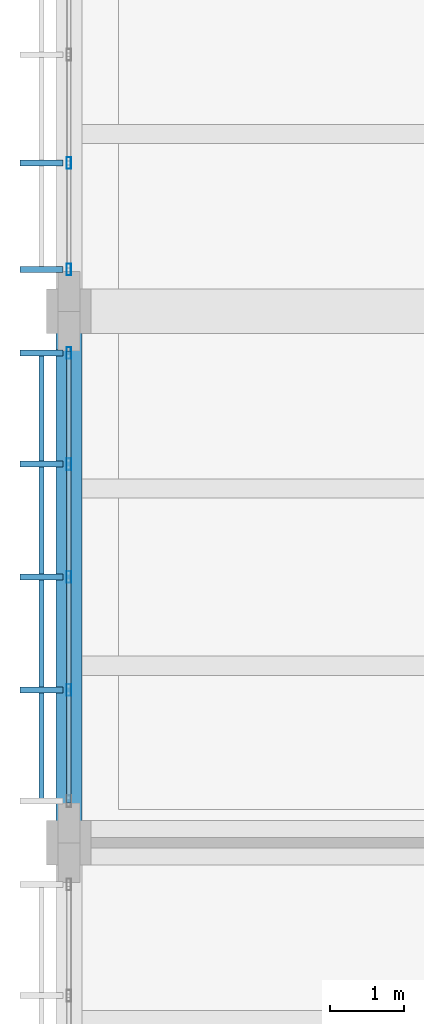
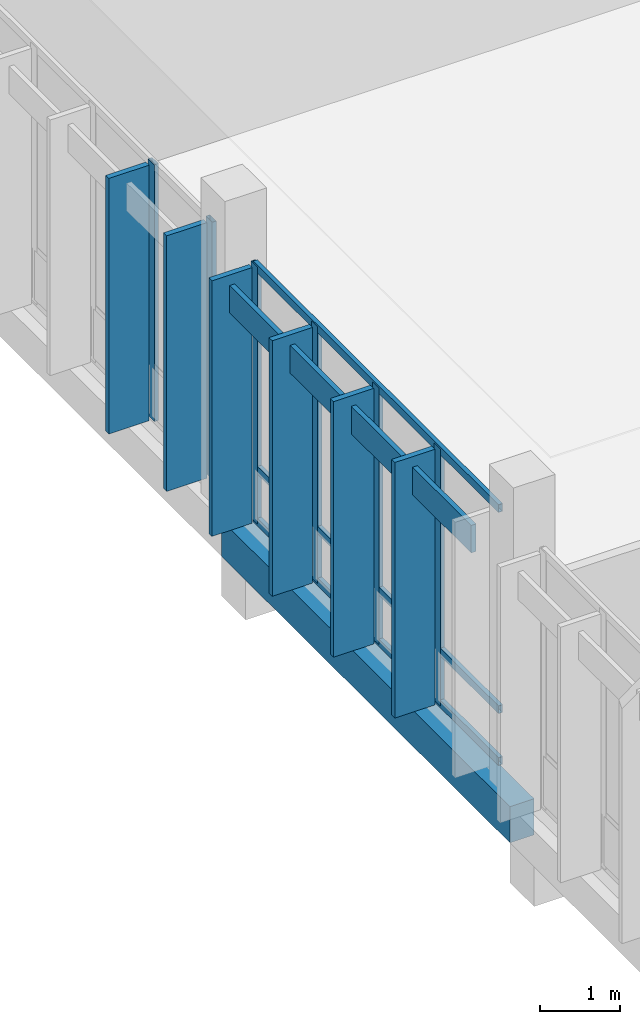
# One storey, part 20 of 177: 16 members, 1 beam, 2 elements without a shape of their own.
"""IFC4 building model written with IfcOpenShell, lengths in metres."""

import ifcopenshell
import ifcopenshell.guid

model = None  # the IFC model being written
_history = None  # IfcOwnerHistory: only IFC2X3 demands one
_inside = {}  # id of a spatial element -> (the spatial element, [elements in it])
_under = {}  # id of a project, library or spatial element -> (it, [spatial elements below it])
_declared = {}  # id of a project -> (the project, [libraries it declares])
_typed = {}  # id of a type object -> (the type object, [elements of that type])
_made_of = {}  # id of a material, layer set ... -> (it, [elements and type objects made of it])


def new_model(schema):
    """Start an empty IFC model of exactly this schema.

    Asked for "IFC4X3", IfcOpenShell would pick the latest addendum, in which some entities
    have other attributes; the version numbers below select the first issue.
    IFC2X3 requires an IfcOwnerHistory on every rooted entity: one is made here for all.
    """
    global model, _history
    if schema == "IFC4X3":
        model = ifcopenshell.file(schema_version=(4, 3, 0, 0))
    else:
        model = ifcopenshell.file(schema=schema)
    _inside.clear()
    _under.clear()
    _declared.clear()
    _typed.clear()
    _made_of.clear()
    _history = None
    if model.schema == "IFC2X3":
        org = make("IfcOrganization", Name="unknown")
        user = make(
            "IfcPersonAndOrganization",
            ThePerson=make("IfcPerson", FamilyName="unknown"),
            TheOrganization=org,
        )
        app = make(
            "IfcApplication",
            ApplicationDeveloper=org,
            Version="unknown",
            ApplicationFullName="unknown",
            ApplicationIdentifier="unknown",
        )
        _history = make(
            "IfcOwnerHistory",
            OwningUser=user,
            OwningApplication=app,
            ChangeAction="ADDED",
            CreationDate=0,
        )
    return model


def make(cls, **values):
    """One entity of the class cls with the attributes given. An attribute that is None is left unset."""
    return model.create_entity(
        cls, **{name: value for name, value in values.items() if value is not None}
    )


def rooted(cls, **values):
    """An entity with a GlobalId (a new one), such as an element, a storey or a relation."""
    return make(cls, GlobalId=ifcopenshell.guid.new(), OwnerHistory=_history, **values)


def si_unit(unit_type, name, prefix=None):
    """IfcSIUnit, for example si_unit("LENGTHUNIT", "METRE", prefix="MILLI")."""
    return make("IfcSIUnit", UnitType=unit_type, Prefix=prefix, Name=name)


def assignment(units):
    """IfcUnitAssignment: the units of a project."""
    return None if units is None else make("IfcUnitAssignment", Units=units)


def point(xyz):
    """IfcCartesianPoint."""
    return None if xyz is None else make("IfcCartesianPoint", Coordinates=xyz)


def direction(xyz):
    """IfcDirection."""
    return None if xyz is None else make("IfcDirection", DirectionRatios=xyz)


def frame(location, z_axis=None, x_axis=None):
    """IfcAxis2Placement3D, a coordinate frame: its origin and axes. An axis left out is left unset."""
    return make(
        "IfcAxis2Placement3D",
        Location=point(location),
        Axis=direction(z_axis),
        RefDirection=direction(x_axis),
    )


def frame_2d(location, x_axis=None):
    """IfcAxis2Placement2D, a coordinate frame in the plane: its origin and x axis."""
    return make(
        "IfcAxis2Placement2D", Location=point(location), RefDirection=direction(x_axis)
    )


def origin():
    """The frame at (0, 0, 0) with its axes left unset."""
    return frame((0.0, 0.0, 0.0))


def origin_2d():
    """The frame at (0, 0) in the plane with its x axis left unset."""
    return frame_2d((0.0, 0.0))


def place(relative_to, where):
    """IfcLocalPlacement: puts the frame where relative to a parent placement (None: the world)."""
    return make(
        "IfcLocalPlacement", PlacementRelTo=relative_to, RelativePlacement=where
    )


def context(
    kind, dimensions, precision=None, world=None, true_north=None, identifier=None
):
    """IfcGeometricRepresentationContext, for example the 3D "Model" context."""
    return make(
        "IfcGeometricRepresentationContext",
        ContextIdentifier=identifier,
        ContextType=kind,
        CoordinateSpaceDimension=dimensions,
        Precision=precision,
        WorldCoordinateSystem=world,
        TrueNorth=true_north,
    )


def subcontext(parent, identifier, kind, view, scale=None):
    """IfcGeometricRepresentationSubContext, for example "Body" below "Model"."""
    return make(
        "IfcGeometricRepresentationSubContext",
        ContextIdentifier=identifier,
        ContextType=kind,
        ParentContext=parent,
        TargetScale=scale,
        TargetView=view,
    )


def project(units=None, contexts=None):
    """IfcProject with its units and contexts."""
    return rooted(
        "IfcProject",
        Name="project",
        RepresentationContexts=contexts,
        UnitsInContext=assignment(units),
    )


def spatial(cls, under=None, at=None, **own):
    """A site, building, storey or space (cls), placed at a placement, below another one or the project."""
    s = rooted(cls, ObjectPlacement=at, **own)
    if under is not None:
        _under.setdefault(under.id(), (under, []))[1].append(s)
    return s


def profile(cls, at=None, kind="AREA", **sizes):
    """A parametric profile (cls). Its sizes go by their IFC names, for example OverallWidth=200.0."""
    return make(cls, ProfileType=kind, Position=at, **sizes)


def rectangle(**sizes):
    """IfcRectangleProfileDef."""
    return profile("IfcRectangleProfileDef", **sizes)


def hollow_rectangle(**sizes):
    """IfcRectangleHollowProfileDef."""
    return profile("IfcRectangleHollowProfileDef", **sizes)


def extrude(swept, where, along, depth):
    """IfcExtrudedAreaSolid: the profile swept, set in the frame where, extruded along a direction by depth."""
    return make(
        "IfcExtrudedAreaSolid",
        SweptArea=swept,
        Position=where,
        ExtrudedDirection=direction(along),
        Depth=depth,
    )


def shape(context_of_items, identifier, shape_type, items):
    """IfcShapeRepresentation: the items that make up one representation, for example the "Body"."""
    return make(
        "IfcShapeRepresentation",
        ContextOfItems=context_of_items,
        RepresentationIdentifier=identifier,
        RepresentationType=shape_type,
        Items=items,
    )


def material(Name=None, Category=None):
    """IfcMaterial."""
    return make("IfcMaterial", Name=Name, Category=Category)


def material_profile(
    of_material, cross_section, Name=None, Category=None, Priority=None
):
    """IfcMaterialProfile: a cross section and its material."""
    return make(
        "IfcMaterialProfile",
        Name=Name,
        Material=of_material,
        Profile=cross_section,
        Priority=Priority,
        Category=Category,
    )


def profile_set(profiles, Name=None, composite=None):
    """IfcMaterialProfileSet."""
    return make(
        "IfcMaterialProfileSet",
        Name=Name,
        MaterialProfiles=profiles,
        CompositeProfile=composite,
    )


def made_of(thing, what):
    """Note that an element or type object is made of a material, layer set ...; save() writes the relation."""
    if what is not None:
        _made_of.setdefault(what.id(), (what, []))[1].append(thing)
    return thing


def type_object(cls, material=None, **own):
    """A type object (cls), such as IfcWallType, which elements share."""
    return made_of(rooted(cls, **own), material)


def element(
    cls,
    number,
    at=None,
    inside=None,
    cuts=None,
    type_object=None,
    material=None,
    context=None,
    identifier="Body",
    shape_type=None,
    held_by="IfcProductDefinitionShape",
    body=None,
    shapes=None,
    **own,
):
    """One element of the class cls, such as IfcWall. Its Tag is "e" and its number.

    at: its placement. inside: the storey or other place that contains it. cuts: it is an
    opening in that element (IfcRelVoidsElement). A single representation is given by context,
    identifier, shape_type and body (its items); several are given by shapes. held_by: the class
    of the entity that holds the representations. save() writes the other relations.
    """
    e = rooted(cls, Tag="e%d" % number, ObjectPlacement=at, **own)
    if body is not None:
        shapes = [shape(context, identifier, shape_type, body)]
    if shapes is not None:
        e.Representation = make(held_by, Representations=shapes)
    if inside is not None:
        _inside.setdefault(inside.id(), (inside, []))[1].append(e)
    if cuts is not None:
        rooted(
            "IfcRelVoidsElement", RelatingBuildingElement=cuts, RelatedOpeningElement=e
        )
    if type_object is not None:
        _typed.setdefault(type_object.id(), (type_object, []))[1].append(e)
    return made_of(e, material)


def aggregate(whole, parts):
    """IfcRelAggregates: a whole, such as a stair, and the parts it consists of."""
    return rooted("IfcRelAggregates", RelatingObject=whole, RelatedObjects=parts)


def save(model, path):
    """Write the relations noted so far, then the file.

    IfcRelAggregates (storeys below a building ...), IfcRelContainedInSpatialStructure (elements
    in a storey), IfcRelDefinesByType, IfcRelAssociatesMaterial and IfcRelDeclares: one each for
    every whole, place, type object, material and project.
    """
    for whole, parts in _under.values():
        aggregate(whole, parts)
    for where, things in _inside.values():
        rooted(
            "IfcRelContainedInSpatialStructure",
            RelatedElements=things,
            RelatingStructure=where,
        )
    for kind, things in _typed.values():
        rooted("IfcRelDefinesByType", RelatedObjects=things, RelatingType=kind)
    for what, things in _made_of.values():
        rooted("IfcRelAssociatesMaterial", RelatedObjects=things, RelatingMaterial=what)
    for by, libraries in _declared.values():
        rooted("IfcRelDeclares", RelatingContext=by, RelatedDefinitions=libraries)
    model.write(path)


model = new_model("IFC4")

# Units and contexts
model_context = context("Model", 3, precision=1e-05, world=origin(), true_north=direction((0.0, 1.0)))
body_context = subcontext(model_context, "Body", "Model", "MODEL_VIEW")
ifc_project = project(units=[si_unit("LENGTHUNIT", "METRE"), si_unit("AREAUNIT", "SQUARE_METRE"), si_unit("VOLUMEUNIT", "CUBIC_METRE"), si_unit("PLANEANGLEUNIT", "RADIAN"), si_unit("MASSUNIT", "GRAM", prefix="KILO")], contexts=[model_context])

# Site, building, storey
site_placement = place(None, origin())
site = spatial("IfcSite", under=ifc_project, at=site_placement, CompositionType="ELEMENT")
building_placement = place(site_placement, origin())
building = spatial("IfcBuilding", under=site, at=building_placement, Name="Chiffa Square Polytechnic", CompositionType="ELEMENT")
storey_placement = place(building_placement, frame((0.0, 0.0, 4.800048828125)))
storey = spatial("IfcBuildingStorey", under=building, at=storey_placement, Name="L01", CompositionType="ELEMENT", Elevation=4.800048828125)

# Beam
ifc_material_1 = material(Name="Concrete C35/45", Category="concrete")
ifc_material_profile_1 = material_profile(ifc_material_1, rectangle(XDim=0.35009765625, YDim=0.550048828125, at=origin_2d()), Name="RC 350x550")
ifc_profile_set_1 = profile_set([ifc_material_profile_1], Name="Concrete C35/45")
beam_type = type_object("IfcBeamType", Name="BM-RC-350X550", PredefinedType="BEAM", material=ifc_profile_set_1)
beam_placement = place(storey_placement, frame((0.0, 21.60009765625, -0.554931640625), z_axis=(0.0, 1.0, 0.0), x_axis=(-1.0, 0.0, 0.0)))
element("IfcBeam", 1, at=beam_placement, inside=storey, type_object=beam_type, Name="Primary floor girder BM-V3-L01-Y-0000-0216", PredefinedType="BEAM", context=body_context, shape_type="SweptSolid", body=[
    extrude(rectangle(XDim=0.35009765625, YDim=0.550048828125, at=origin_2d()), origin(), (0.0, 0.0, 1.0), 7.199951171875),
])

# Curtain wall, members
ifc_material_2 = material(Name="Aluminium EN AW-6060 T66 and glulam shading", Category="wood")
curtain_wall_type_1 = type_object("IfcCurtainWallType", Name="CW-VERT-450X440", PredefinedType="USERDEFINED", material=ifc_material_2)
curtain_wall_1_placement = place(storey_placement, origin())
curtain_wall_1 = element("IfcCurtainWall", 2, at=curtain_wall_1_placement, inside=storey, type_object=curtain_wall_type_1, Name="Curtain wall CW-V3-L01-160", ObjectType="CURTAIN WALL", PredefinedType="USERDEFINED")
ifc_material_3 = material(Name="Aluminium EN AW-6060 T66", Category="aluminium")
ifc_material_profile_2 = material_profile(ifc_material_3, hollow_rectangle(XDim=0.06005859375, YDim=0.159912109375, WallThickness=0.00390625, at=origin_2d()), Name="ALU 60x160x4")
ifc_profile_set_2 = profile_set([ifc_material_profile_2], Name="Aluminium EN AW-6060 T66")
member_type_1 = type_object("IfcMemberType", Name="CWM-ALU-65X150", PredefinedType="MULLION", material=ifc_profile_set_2)
member_1_placement = place(storey_placement, frame((0.0, 30.80810546875, 0.0), z_axis=(0.0, 0.0, 1.0), x_axis=(1.0, 0.0, 0.0)))
member_1 = element("IfcMember", 3, at=member_1_placement, type_object=member_type_1, Name="Curtain wall mullion CW-V3-L01-160-M03", PredefinedType="MULLION", context=body_context, shape_type="SweptSolid", body=[
    extrude(hollow_rectangle(XDim=0.06005859375, YDim=0.159912109375, WallThickness=0.00390625, at=origin_2d()), origin(), (0.0, 0.0, 1.0), 3.9150390625),
])
member_2_placement = place(storey_placement, frame((0.0, 29.364990234375, 0.0), z_axis=(0.0, 0.0, 1.0), x_axis=(1.0, 0.0, 0.0)))
member_2 = element("IfcMember", 4, at=member_2_placement, type_object=member_type_1, Name="Curtain wall mullion CW-V3-L01-160-M04", PredefinedType="MULLION", context=body_context, shape_type="SweptSolid", body=[
    extrude(hollow_rectangle(XDim=0.06005859375, YDim=0.159912109375, WallThickness=0.00390625, at=origin_2d()), origin(), (0.0, 0.0, 1.0), 3.9150390625),
])

curtain_wall_type_2 = type_object("IfcCurtainWallType", Name="CW-VERT-600X440", PredefinedType="USERDEFINED", material=ifc_material_2)
curtain_wall_2_placement = place(storey_placement, origin())
curtain_wall_2 = element("IfcCurtainWall", 5, at=curtain_wall_2_placement, inside=storey, type_object=curtain_wall_type_2, Name="Curtain wall CW-V3-L01-161", ObjectType="CURTAIN WALL", PredefinedType="USERDEFINED")
member_3_placement = place(storey_placement, frame((0.0, 28.235107421875, 0.0), z_axis=(0.0, 0.0, 1.0), x_axis=(1.0, 0.0, 0.0)))
member_3 = element("IfcMember", 6, at=member_3_placement, type_object=member_type_1, Name="Curtain wall mullion CW-V3-L01-161-M00", PredefinedType="MULLION", context=body_context, shape_type="SweptSolid", body=[
    extrude(hollow_rectangle(XDim=0.06005859375, YDim=0.159912109375, WallThickness=0.00390625, at=origin_2d()), origin(), (0.0, 0.0, 1.0), 3.9150390625),
])
member_4_placement = place(storey_placement, frame((0.0, 26.72998046875, 0.0), z_axis=(0.0, 0.0, 1.0), x_axis=(1.0, 0.0, 0.0)))
member_4 = element("IfcMember", 7, at=member_4_placement, type_object=member_type_1, Name="Curtain wall mullion CW-V3-L01-161-M01", PredefinedType="MULLION", context=body_context, shape_type="SweptSolid", body=[
    extrude(hollow_rectangle(XDim=0.06005859375, YDim=0.159912109375, WallThickness=0.00390625, at=origin_2d()), origin(), (0.0, 0.0, 1.0), 3.9150390625),
])
member_5_placement = place(storey_placement, frame((0.0, 25.199951171875, 0.0), z_axis=(0.0, 0.0, 1.0), x_axis=(1.0, 0.0, 0.0)))
member_5 = element("IfcMember", 8, at=member_5_placement, type_object=member_type_1, Name="Curtain wall mullion CW-V3-L01-161-M02", PredefinedType="MULLION", context=body_context, shape_type="SweptSolid", body=[
    extrude(hollow_rectangle(XDim=0.06005859375, YDim=0.159912109375, WallThickness=0.00390625, at=origin_2d()), origin(), (0.0, 0.0, 1.0), 3.9150390625),
])
member_6_placement = place(storey_placement, frame((0.0, 23.669921875, 0.0), z_axis=(0.0, 0.0, 1.0), x_axis=(1.0, 0.0, 0.0)))
member_6 = element("IfcMember", 9, at=member_6_placement, type_object=member_type_1, Name="Curtain wall mullion CW-V3-L01-161-M03", PredefinedType="MULLION", context=body_context, shape_type="SweptSolid", body=[
    extrude(hollow_rectangle(XDim=0.06005859375, YDim=0.159912109375, WallThickness=0.00390625, at=origin_2d()), origin(), (0.0, 0.0, 1.0), 3.9150390625),
])

# Member
ifc_material_4 = material(Name="Glulam GL28h", Category="wood")
ifc_material_profile_3 = material_profile(ifc_material_4, rectangle(XDim=0.080078125, YDim=0.580078125, at=origin_2d()), Name="GL28h 80x580")
ifc_profile_set_3 = profile_set([ifc_material_profile_3], Name="Glulam GL28h")
member_type_2 = type_object("IfcMemberType", Name="CWM-GL-80X580", PredefinedType="MULLION", material=ifc_profile_set_3)
member_7_placement = place(storey_placement, frame((-0.3720703125, 30.80810546875, 0.010009765625), z_axis=(0.0, 0.0, 1.0), x_axis=(0.0, -1.0, 0.0)))
member_7 = element("IfcMember", 10, at=member_7_placement, type_object=member_type_2, Name="Exterior glulam solar fin CW-V3-L01-160-FN03", PredefinedType="MULLION", context=body_context, shape_type="SweptSolid", body=[
    extrude(rectangle(XDim=0.080078125, YDim=0.580078125, at=origin_2d()), origin(), (0.0, 0.0, 1.0), 3.89501953125),
])

member_8_placement = place(storey_placement, frame((-0.3720703125, 29.364990234375, 0.010009765625), z_axis=(0.0, 0.0, 1.0), x_axis=(0.0, -1.0, 0.0)))
member_8 = element("IfcMember", 11, at=member_8_placement, type_object=member_type_2, Name="Exterior glulam solar fin CW-V3-L01-160-FN04", PredefinedType="MULLION", context=body_context, shape_type="SweptSolid", body=[
    extrude(rectangle(XDim=0.080078125, YDim=0.580078125, at=origin_2d()), origin(), (0.0, 0.0, 1.0), 3.89501953125),
])

aggregate(curtain_wall_1, [member_1, member_7, member_2, member_8])

member_9_placement = place(storey_placement, frame((-0.3720703125, 28.235107421875, 0.010009765625), z_axis=(0.0, 0.0, 1.0), x_axis=(0.0, -1.0, 0.0)))
member_9 = element("IfcMember", 12, at=member_9_placement, type_object=member_type_2, Name="Exterior glulam solar fin CW-V3-L01-161-FN00", PredefinedType="MULLION", context=body_context, shape_type="SweptSolid", body=[
    extrude(rectangle(XDim=0.080078125, YDim=0.580078125, at=origin_2d()), origin(), (0.0, 0.0, 1.0), 3.89501953125),
])

member_10_placement = place(storey_placement, frame((-0.3720703125, 26.72998046875, 0.010009765625), z_axis=(0.0, 0.0, 1.0), x_axis=(0.0, -1.0, 0.0)))
member_10 = element("IfcMember", 13, at=member_10_placement, type_object=member_type_2, Name="Exterior glulam solar fin CW-V3-L01-161-FN01", PredefinedType="MULLION", context=body_context, shape_type="SweptSolid", body=[
    extrude(rectangle(XDim=0.080078125, YDim=0.580078125, at=origin_2d()), origin(), (0.0, 0.0, 1.0), 3.89501953125),
])

member_11_placement = place(storey_placement, frame((-0.3720703125, 25.199951171875, 0.010009765625), z_axis=(0.0, 0.0, 1.0), x_axis=(0.0, -1.0, 0.0)))
member_11 = element("IfcMember", 14, at=member_11_placement, type_object=member_type_2, Name="Exterior glulam solar fin CW-V3-L01-161-FN02", PredefinedType="MULLION", context=body_context, shape_type="SweptSolid", body=[
    extrude(rectangle(XDim=0.080078125, YDim=0.580078125, at=origin_2d()), origin(), (0.0, 0.0, 1.0), 3.89501953125),
])

member_12_placement = place(storey_placement, frame((-0.3720703125, 23.669921875, 0.010009765625), z_axis=(0.0, 0.0, 1.0), x_axis=(0.0, -1.0, 0.0)))
member_12 = element("IfcMember", 15, at=member_12_placement, type_object=member_type_2, Name="Exterior glulam solar fin CW-V3-L01-161-FN03", PredefinedType="MULLION", context=body_context, shape_type="SweptSolid", body=[
    extrude(rectangle(XDim=0.080078125, YDim=0.580078125, at=origin_2d()), origin(), (0.0, 0.0, 1.0), 3.89501953125),
])

ifc_material_profile_4 = material_profile(ifc_material_3, hollow_rectangle(XDim=0.06005859375, YDim=0.1201171875, WallThickness=0.00390625, at=origin_2d()), Name="ALU 60x120x4")
ifc_profile_set_4 = profile_set([ifc_material_profile_4], Name="Aluminium EN AW-6060 T66")
member_type_3 = type_object("IfcMemberType", Name="CWT-ALU-65X120", PredefinedType="USERDEFINED", material=ifc_profile_set_4)
member_13_placement = place(storey_placement, frame((0.0, 28.261962890625, 0.030029296875), z_axis=(0.0, -1.0, 0.0), x_axis=(1.0, 0.0, 0.0)))
member_13 = element("IfcMember", 16, at=member_13_placement, type_object=member_type_3, Name="Curtain wall transom CW-V3-L01-161-T01", ObjectType="TRANSOM", PredefinedType="USERDEFINED", context=body_context, shape_type="SweptSolid", body=[
    extrude(hollow_rectangle(XDim=0.06005859375, YDim=0.1201171875, WallThickness=0.00390625, at=origin_2d()), origin(), (0.0, 0.0, 1.0), 6.1240234375),
])

member_14_placement = place(storey_placement, frame((0.0, 28.261962890625, 0.820068359375), z_axis=(0.0, -1.0, 0.0), x_axis=(1.0, 0.0, 0.0)))
member_14 = element("IfcMember", 17, at=member_14_placement, type_object=member_type_3, Name="Curtain wall transom CW-V3-L01-161-T02", ObjectType="TRANSOM", PredefinedType="USERDEFINED", context=body_context, shape_type="SweptSolid", body=[
    extrude(hollow_rectangle(XDim=0.06005859375, YDim=0.1201171875, WallThickness=0.00390625, at=origin_2d()), origin(), (0.0, 0.0, 1.0), 6.1240234375),
])

member_15_placement = place(storey_placement, frame((0.0, 28.261962890625, 3.885009765625), z_axis=(0.0, -1.0, 0.0), x_axis=(1.0, 0.0, 0.0)))
member_15 = element("IfcMember", 18, at=member_15_placement, type_object=member_type_3, Name="Curtain wall transom CW-V3-L01-161-T03", ObjectType="TRANSOM", PredefinedType="USERDEFINED", context=body_context, shape_type="SweptSolid", body=[
    extrude(hollow_rectangle(XDim=0.06005859375, YDim=0.1201171875, WallThickness=0.00390625, at=origin_2d()), origin(), (0.0, 0.0, 1.0), 6.1240234375),
])

ifc_material_profile_5 = material_profile(ifc_material_4, rectangle(XDim=0.070068359375, YDim=0.419921875, at=origin_2d()), Name="GL28h 70x420")
ifc_profile_set_5 = profile_set([ifc_material_profile_5], Name="Glulam GL28h")
member_type_4 = type_object("IfcMemberType", Name="CWT-GL-70X420", PredefinedType="USERDEFINED", material=ifc_profile_set_5)
member_16_placement = place(storey_placement, frame((-0.3720703125, 28.235107421875, 3.534912109375), z_axis=(0.0, -1.0, 0.0), x_axis=(1.0, 0.0, 0.0)))
member_16 = element("IfcMember", 19, at=member_16_placement, type_object=member_type_4, Name="Exterior glulam brise-soleil CW-V3-L01-161-BS01", ObjectType="TRANSOM", PredefinedType="USERDEFINED", context=body_context, shape_type="SweptSolid", body=[
    extrude(rectangle(XDim=0.070068359375, YDim=0.419921875, at=origin_2d()), origin(), (0.0, 0.0, 1.0), 6.070068359375),
])

aggregate(curtain_wall_2, [member_3, member_9, member_4, member_10, member_5, member_11, member_6, member_12, member_13, member_14, member_15, member_16])

save(model, "model.ifc")
